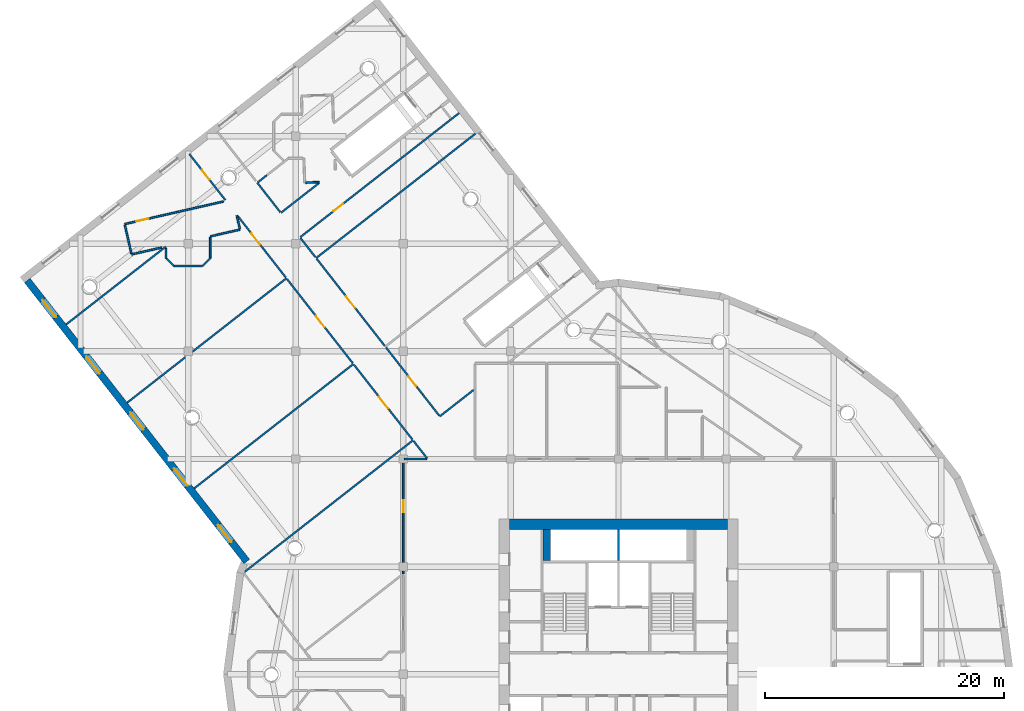
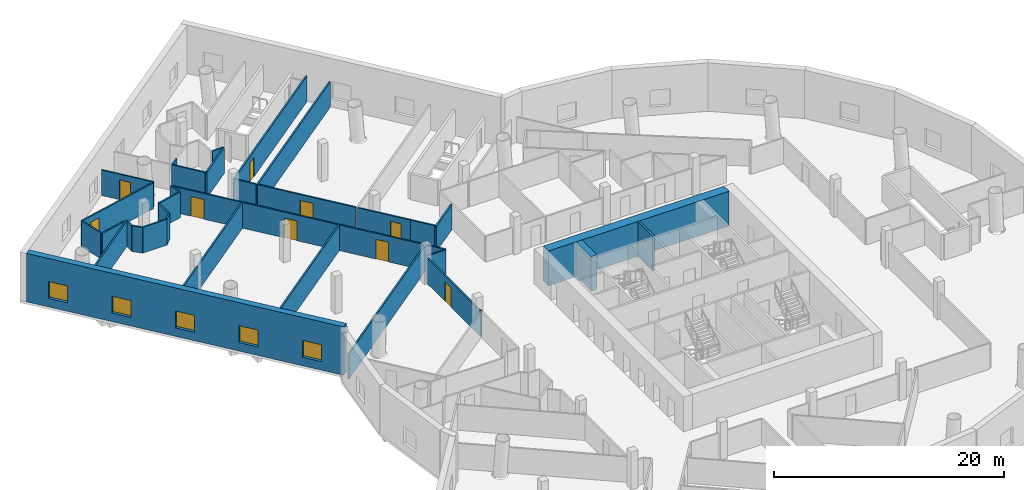
# One storey, part 9 of 15: 36 walls, 9 doors, 5 windows, 14 openings.
"""IFC4 building model written with IfcOpenShell, lengths in metres."""

from ifc_helpers import new_model, si_unit, direction, frame, frame_2d, origin, place, context, subcontext, project, spatial, rectangle, extrude, material, layer, layer_set, type_object, element, fill, save


model = new_model("IFC4")

# Units and contexts
model_context = context("Model", 3, precision=1e-05, world=origin(), true_north=direction((0.0, 1.0)))
body_context = subcontext(model_context, "Body", "Model", "MODEL_VIEW")
ifc_project = project(units=[si_unit("LENGTHUNIT", "METRE"), si_unit("AREAUNIT", "SQUARE_METRE"), si_unit("VOLUMEUNIT", "CUBIC_METRE"), si_unit("PLANEANGLEUNIT", "RADIAN"), si_unit("MASSUNIT", "GRAM", prefix="KILO")], contexts=[model_context])

# Site, building, storey
site_placement = place(None, origin())
site = spatial("IfcSite", under=ifc_project, at=site_placement, CompositionType="ELEMENT")
building_placement = place(site_placement, origin())
building = spatial("IfcBuilding", under=site, at=building_placement, Name="Tarsis Ring Headquarters", CompositionType="ELEMENT")
storey_placement = place(building_placement, frame((0.0, 0.0, 30.0)))
storey = spatial("IfcBuildingStorey", under=building, at=storey_placement, Name="L05", CompositionType="ELEMENT", Elevation=30.0)

# Walls
ifc_material_1 = material(Name="Concrete C60/75", Category="concrete")
ifc_layer_1 = layer(ifc_material_1, 0.89990234375)
ifc_layer_set_1 = layer_set([ifc_layer_1], Name="Core wall 900 C60/75")
wall_type_1 = type_object("IfcWallType", Name="Core wall 900 C60/75", PredefinedType="SHEAR", material=ifc_layer_set_1)
wall_1_placement = place(storey_placement, frame((-9.10009765625, 12.550048828125, 0.0), z_axis=(0.0, 0.0, 1.0), x_axis=(1.0, 0.0, 0.0)))
element("IfcWall", 1, at=wall_1_placement, inside=storey, type_object=wall_type_1, Name="Core wall ON", PredefinedType="SHEAR", context=body_context, shape_type="SweptSolid", body=[
    extrude(rectangle(XDim=18.2001953125, YDim=0.89990234375, at=frame_2d((9.10009765625, 0.0))), origin(), (0.0, 0.0, 1.0), 3.699951171875),
])
ifc_material_2 = material(Name="Plasterboard partition")
ifc_layer_2 = layer(ifc_material_2, 0.14990234375)
ifc_layer_set_2 = layer_set([ifc_layer_2], Name="PO-PW150")
wall_type_2 = type_object("IfcWallType", Name="PO-PW150", PredefinedType="PARTITIONING", material=ifc_layer_set_2)
wall_2_placement = place(storey_placement, frame((-17.189208984375, 19.564697265625, 0.0), z_axis=(0.0, 0.0, 1.0), x_axis=(-0.78801299467, -0.615658606884, 0.0)))
element("IfcWall", 2, at=wall_2_placement, inside=storey, type_object=wall_type_2, Name="L05 partition wall 2", PredefinedType="PARTITIONING", context=body_context, shape_type="SweptSolid", body=[
    extrude(rectangle(XDim=17.890380859375, YDim=0.14990234375, at=frame_2d((8.9453125, 0.0))), origin(), (0.0, 0.0, 1.0), 2.699951171875),
])
for number, where, z_axis, x_axis, name in (
    (3, (-11.97412109375, 45.212646484375, 0.0), (0.0, 0.0, 1.0), (-0.788007728406, -0.615665347386, 0.0), "L05 partition wall 6"),
    (4, (-22.176025390625, 25.94775390625, 0.0), (0.0, 0.0, 1.0), (-0.788007728406, -0.615665347386, 0.0), "L05 partition wall 10"),
    (5, (-27.778564453125, 33.11865234375, 0.0), (0.0, 0.0, 1.0), (-0.788007728406, -0.615665347386, 0.0), "L05 partition wall 11"),
):
    element("IfcWall", number, at=place(storey_placement, frame(where, z_axis=z_axis, x_axis=x_axis)), inside=storey, type_object=wall_type_2, Name=name, PredefinedType="PARTITIONING", context=body_context, shape_type="SweptSolid", body=[
        extrude(rectangle(XDim=16.900146484375, YDim=0.14990234375, at=frame_2d((8.4501953125, 0.0))), origin(), (0.0, 0.0, 1.0), 2.699951171875),
    ])
wall_3_placement = place(storey_placement, frame((-37.8642578125, 35.771728515625, 0.0), z_axis=(0.0, 0.0, 1.0), x_axis=(-0.788010387579, -0.615661943819, 0.0)))
element("IfcWall", 6, at=wall_3_placement, inside=storey, type_object=wall_type_2, Name="L05 partition wall 22", PredefinedType="PARTITIONING", context=body_context, shape_type="SweptSolid", body=[
    extrude(rectangle(XDim=10.5859375, YDim=0.14990234375, at=frame_2d((5.29296875, 0.0))), origin(), (0.0, 0.0, 1.0), 2.699951171875),
])

# Wall, opening, door
wall_4_placement = place(storey_placement, frame((-35.904541015625, 43.52099609375, 0.0), z_axis=(0.0, 0.0, 1.0), x_axis=(0.615667246278, -0.788006244811, 0.0)))
wall_4 = element("IfcWall", 7, at=wall_4_placement, inside=storey, type_object=wall_type_2, Name="L05 partition wall 73", PredefinedType="PARTITIONING", context=body_context, shape_type="SweptSolid", body=[
    extrude(rectangle(XDim=4.900146484375, YDim=0.14990234375, at=frame_2d((2.4501953125, 0.0))), origin(), (0.0, 0.0, 1.0), 2.699951171875),
])
opening_1_placement = place(wall_4_placement, frame((1.720947265625, 0.0, 0.0)))
opening_1 = element("IfcOpeningElement", 8, at=opening_1_placement, cuts=wall_4, Name="Opening PO-D1A", PredefinedType="OPENING", context=body_context, shape_type="SweptSolid", body=[
    extrude(rectangle(XDim=1.0, YDim=2.10009765625, at=frame_2d((0.5, 1.050048828125))), frame((0.0, 0.0849609375, 0.0), z_axis=(0.0, -1.0, 0.0), x_axis=(1.0, 0.0, 0.0)), (0.0, 0.0, 1.0), 0.169921875),
])
ifc_material_3 = material(Name="Timber door", Category="wood")
door_type_1 = type_object("IfcDoorType", Name="PO-D1000-UNRATED", OperationType="NOTDEFINED", PredefinedType="DOOR", material=ifc_material_3)
door_1_placement = place(opening_1_placement, origin())
door_1 = element("IfcDoor", 9, at=door_1_placement, inside=storey, type_object=door_type_1, Name="Meeting room door", OperationType="SINGLE_SWING_LEFT", OverallHeight=2.10009765625, OverallWidth=1.0, PredefinedType="DOOR", context=body_context, shape_type="SweptSolid", body=[
    extrude(rectangle(XDim=1.0, YDim=2.10009765625, at=frame_2d((0.5, 1.050048828125))), frame((0.0, 0.02490234375, 0.0), z_axis=(0.0, -1.0, 0.0), x_axis=(1.0, 0.0, 0.0)), (0.0, 0.0, 1.0), 0.050048828125),
])
fill(opening_1, door_1)

# Walls
wall_5_placement = place(storey_placement, frame((-14.9482421875, 21.5693359375, 0.0), z_axis=(0.0, 0.0, 1.0), x_axis=(0.787999570398, 0.615675788913, 0.0)))
element("IfcWall", 10, at=wall_5_placement, inside=storey, type_object=wall_type_2, Name="L05 partition wall 94", PredefinedType="PARTITIONING", context=body_context, shape_type="SweptSolid", body=[
    extrude(rectangle(XDim=3.58154296875, YDim=0.14990234375, at=frame_2d((1.790771484375, 0.0))), origin(), (0.0, 0.0, 1.0), 2.699951171875),
])
wall_6_placement = place(storey_placement, frame((-29.4189453125, 41.7353515625, 0.0), z_axis=(0.0, 0.0, 1.0), x_axis=(-0.787996580938, -0.615679615083, 0.0)))
element("IfcWall", 11, at=wall_6_placement, inside=storey, type_object=wall_type_2, Name="L05 partition wall 171", PredefinedType="PARTITIONING", context=body_context, shape_type="SweptSolid", body=[
    extrude(rectangle(XDim=0.932373046875, YDim=0.14990234375, at=frame_2d((0.46630859375, 0.0))), origin(), (0.0, 0.0, 1.0), 2.699951171875),
])

# Wall, opening, door
ifc_layer_3 = layer(ifc_material_2, 0.14990234375)
ifc_layer_set_3 = layer_set([ifc_layer_3], Name="PO-PW150R-2733")
wall_type_3 = type_object("IfcWallType", Name="PO-PW150R-2733", PredefinedType="PARTITIONING", material=ifc_layer_set_3)
wall_7_placement = place(storey_placement, frame((-13.3271484375, 46.944580078125, 0.0), z_axis=(0.0, 0.0, 1.0), x_axis=(-0.788009225699, -0.615663430953, 0.0)))
wall_7 = element("IfcWall", 12, at=wall_7_placement, inside=storey, type_object=wall_type_3, Name="L05 partition wall 13", PredefinedType="PARTITIONING", context=body_context, shape_type="SweptSolid", body=[
    extrude(rectangle(XDim=16.860107421875, YDim=0.14990234375, at=frame_2d((8.43017578125, 0.0))), origin(), (0.0, 0.0, 1.0), 2.73291015625),
])
opening_2_placement = place(wall_7_placement, frame((12.343505859375, 0.0, 0.0)))
opening_2 = element("IfcOpeningElement", 13, at=opening_2_placement, cuts=wall_7, Name="Opening PO-D1", PredefinedType="OPENING", context=body_context, shape_type="SweptSolid", body=[
    extrude(rectangle(XDim=1.0, YDim=2.10009765625, at=frame_2d((0.5, 1.050048828125))), frame((0.0, 0.0849609375, 0.0), z_axis=(0.0, -1.0, 0.0), x_axis=(1.0, 0.0, 0.0)), (0.0, 0.0, 1.0), 0.169921875),
])
door_type_2 = type_object("IfcDoorType", Name="PO-D1000", OperationType="NOTDEFINED", PredefinedType="DOOR", material=ifc_material_3)
door_2_placement = place(opening_2_placement, origin())
door_2 = element("IfcDoor", 14, at=door_2_placement, inside=storey, type_object=door_type_2, Name="Directors' office door", OperationType="SINGLE_SWING_LEFT", OverallHeight=2.10009765625, OverallWidth=1.0, PredefinedType="DOOR", context=body_context, shape_type="SweptSolid", body=[
    extrude(rectangle(XDim=1.0, YDim=2.10009765625, at=frame_2d((0.5, 1.050048828125))), frame((0.0, 0.02490234375, 0.0), z_axis=(0.0, -1.0, 0.0), x_axis=(1.0, 0.0, 0.0)), (0.0, 0.0, 1.0), 0.050048828125),
])
fill(opening_2, door_2)

wall_8_placement = place(storey_placement, frame((-18.0, 8.3984375, 0.0), z_axis=(0.0, 0.0, 1.0), x_axis=(0.0, 1.0, 0.0)))
wall_8 = element("IfcWall", 15, at=wall_8_placement, inside=storey, type_object=wall_type_3, Name="L05 partition wall 35", PredefinedType="PARTITIONING", context=body_context, shape_type="SweptSolid", body=[
    extrude(rectangle(XDim=9.6015625, YDim=0.14990234375, at=frame_2d((4.80078125, 0.0))), origin(), (0.0, 0.0, 1.0), 2.73291015625),
])
opening_3_placement = place(wall_8_placement, frame((5.1484375, 0.0, 0.0)))
opening_3 = element("IfcOpeningElement", 16, at=opening_3_placement, cuts=wall_8, Name="Opening PO-D1", PredefinedType="OPENING", context=body_context, shape_type="SweptSolid", body=[
    extrude(rectangle(XDim=1.0, YDim=2.10009765625, at=frame_2d((0.5, 1.050048828125))), frame((0.0, 0.0849609375, 0.0), z_axis=(0.0, -1.0, 0.0), x_axis=(1.0, 0.0, 0.0)), (0.0, 0.0, 1.0), 0.169921875),
])
door_3_placement = place(opening_3_placement, origin())
door_3 = element("IfcDoor", 17, at=door_3_placement, inside=storey, type_object=door_type_2, Name="Directors' office door", OperationType="SINGLE_SWING_LEFT", OverallHeight=2.10009765625, OverallWidth=1.0, PredefinedType="DOOR", context=body_context, shape_type="SweptSolid", body=[
    extrude(rectangle(XDim=1.0, YDim=2.10009765625, at=frame_2d((0.5, 1.050048828125))), frame((0.0, 0.02490234375, 0.0), z_axis=(0.0, -1.0, 0.0), x_axis=(1.0, 0.0, 0.0)), (0.0, 0.0, 1.0), 0.050048828125),
])
fill(opening_3, door_3)

wall_9_placement = place(storey_placement, frame((-25.2421875, 34.744873046875, 0.0), z_axis=(0.0, 0.0, 1.0), x_axis=(0.615660449474, -0.788011555089, 0.0)))
wall_9 = element("IfcWall", 18, at=wall_9_placement, inside=storey, type_object=wall_type_3, Name="L05 partition wall 36", PredefinedType="PARTITIONING", context=body_context, shape_type="SweptSolid", body=[
    extrude(rectangle(XDim=9.239990234375, YDim=0.14990234375, at=frame_2d((4.6201171875, 0.0))), origin(), (0.0, 0.0, 1.0), 2.73291015625),
])
opening_4_placement = place(wall_9_placement, frame((3.989990234375, 0.0, 0.0)))
opening_4 = element("IfcOpeningElement", 19, at=opening_4_placement, cuts=wall_9, Name="Opening PO-D2", PredefinedType="OPENING", context=body_context, shape_type="SweptSolid", body=[
    extrude(rectangle(XDim=1.199951171875, YDim=2.10009765625, at=frame_2d((0.60009765625, 1.050048828125))), frame((0.0, 0.0849609375, 0.0), z_axis=(0.0, -1.0, 0.0), x_axis=(1.0, 0.0, 0.0)), (0.0, 0.0, 1.0), 0.169921875),
])
door_type_3 = type_object("IfcDoorType", Name="PO-D1200", OperationType="NOTDEFINED", PredefinedType="DOOR", material=ifc_material_3)
door_4_placement = place(opening_4_placement, origin())
door_4 = element("IfcDoor", 20, at=door_4_placement, inside=storey, type_object=door_type_3, Name="Board room door", OperationType="SINGLE_SWING_RIGHT", OverallHeight=2.10009765625, OverallWidth=1.199951171875, PredefinedType="DOOR", context=body_context, shape_type="SweptSolid", body=[
    extrude(rectangle(XDim=1.199951171875, YDim=2.10009765625, at=frame_2d((0.60009765625, 1.050048828125))), frame((0.0, 0.02490234375, 0.0), z_axis=(0.0, -1.0, 0.0), x_axis=(1.0, 0.0, 0.0)), (0.0, 0.0, 1.0), 0.050048828125),
])
fill(opening_4, door_4)

wall_10_placement = place(storey_placement, frame((-22.225341796875, 26.0107421875, 0.0), z_axis=(0.0, 0.0, 1.0), x_axis=(-0.615661530391, 0.788010710585, 0.0)))
wall_10 = element("IfcWall", 21, at=wall_10_placement, inside=storey, type_object=wall_type_3, Name="L05 partition wall 37", PredefinedType="PARTITIONING", context=body_context, shape_type="SweptSolid", body=[
    extrude(rectangle(XDim=8.93994140625, YDim=0.14990234375, at=frame_2d((4.469970703125, 0.0))), origin(), (0.0, 0.0, 1.0), 2.73291015625),
])
opening_5_placement = place(wall_10_placement, frame((3.820068359375, 0.0, 0.0)))
opening_5 = element("IfcOpeningElement", 22, at=opening_5_placement, cuts=wall_10, Name="Opening PO-D2", PredefinedType="OPENING", context=body_context, shape_type="SweptSolid", body=[
    extrude(rectangle(XDim=1.199951171875, YDim=2.10009765625, at=frame_2d((0.60009765625, 1.050048828125))), frame((0.0, 0.0849609375, 0.0), z_axis=(0.0, -1.0, 0.0), x_axis=(1.0, 0.0, 0.0)), (0.0, 0.0, 1.0), 0.169921875),
])
door_5_placement = place(opening_5_placement, origin())
door_5 = element("IfcDoor", 23, at=door_5_placement, inside=storey, type_object=door_type_3, Name="Meeting room door", OperationType="SINGLE_SWING_LEFT", OverallHeight=2.10009765625, OverallWidth=1.199951171875, PredefinedType="DOOR", context=body_context, shape_type="SweptSolid", body=[
    extrude(rectangle(XDim=1.199951171875, YDim=2.10009765625, at=frame_2d((0.60009765625, 1.050048828125))), frame((0.0, 0.02490234375, 0.0), z_axis=(0.0, -1.0, 0.0), x_axis=(1.0, 0.0, 0.0)), (0.0, 0.0, 1.0), 0.050048828125),
])
fill(opening_5, door_5)

wall_11_placement = place(storey_placement, frame((-41.310546875, 37.650390625, 0.0), z_axis=(0.0, 0.0, 1.0), x_axis=(0.974810283506, 0.22303567242, 0.0)))
wall_11 = element("IfcWall", 24, at=wall_11_placement, inside=storey, type_object=wall_type_3, Name="L05 partition wall 40", PredefinedType="PARTITIONING", context=body_context, shape_type="SweptSolid", body=[
    extrude(rectangle(XDim=8.48779296875, YDim=0.14990234375, at=frame_2d((4.243896484375, 0.0))), origin(), (0.0, 0.0, 1.0), 2.73291015625),
])
opening_6_placement = place(wall_11_placement, frame((1.02099609375, 0.0, 0.0)))
opening_6 = element("IfcOpeningElement", 25, at=opening_6_placement, cuts=wall_11, Name="Opening PO-D1", PredefinedType="OPENING", context=body_context, shape_type="SweptSolid", body=[
    extrude(rectangle(XDim=1.0, YDim=2.10009765625, at=frame_2d((0.5, 1.050048828125))), frame((0.0, 0.0849609375, 0.0), z_axis=(0.0, -1.0, 0.0), x_axis=(1.0, 0.0, 0.0)), (0.0, 0.0, 1.0), 0.169921875),
])
door_6_placement = place(opening_6_placement, origin())
door_6 = element("IfcDoor", 26, at=door_6_placement, inside=storey, type_object=door_type_2, Name="Board room door", OperationType="SINGLE_SWING_LEFT", OverallHeight=2.10009765625, OverallWidth=1.0, PredefinedType="DOOR", context=body_context, shape_type="SweptSolid", body=[
    extrude(rectangle(XDim=1.0, YDim=2.10009765625, at=frame_2d((0.5, 1.050048828125))), frame((0.0, 0.02490234375, 0.0), z_axis=(0.0, -1.0, 0.0), x_axis=(1.0, 0.0, 0.0)), (0.0, 0.0, 1.0), 0.050048828125),
])
fill(opening_6, door_6)

wall_12_placement = place(storey_placement, frame((-17.238525390625, 19.6279296875, 0.0), z_axis=(0.0, 0.0, 1.0), x_axis=(-0.615661346431, 0.78801085431, 0.0)))
wall_12 = element("IfcWall", 27, at=wall_12_placement, inside=storey, type_object=wall_type_3, Name="L05 partition wall 45", PredefinedType="PARTITIONING", context=body_context, shape_type="SweptSolid", body=[
    extrude(rectangle(XDim=7.939697265625, YDim=0.14990234375, at=frame_2d((3.9697265625, 0.0))), origin(), (0.0, 0.0, 1.0), 2.73291015625),
])
opening_7_placement = place(wall_12_placement, frame((3.320068359375, 0.0, 0.0)))
opening_7 = element("IfcOpeningElement", 28, at=opening_7_placement, cuts=wall_12, Name="Opening PO-D2", PredefinedType="OPENING", context=body_context, shape_type="SweptSolid", body=[
    extrude(rectangle(XDim=1.199951171875, YDim=2.10009765625, at=frame_2d((0.60009765625, 1.050048828125))), frame((0.0, 0.0849609375, 0.0), z_axis=(0.0, -1.0, 0.0), x_axis=(1.0, 0.0, 0.0)), (0.0, 0.0, 1.0), 0.169921875),
])
door_7_placement = place(opening_7_placement, origin())
door_7 = element("IfcDoor", 29, at=door_7_placement, inside=storey, type_object=door_type_3, Name="Executive assistants' office door", OperationType="SINGLE_SWING_RIGHT", OverallHeight=2.10009765625, OverallWidth=1.199951171875, PredefinedType="DOOR", context=body_context, shape_type="SweptSolid", body=[
    extrude(rectangle(XDim=1.199951171875, YDim=2.10009765625, at=frame_2d((0.60009765625, 1.050048828125))), frame((0.0, 0.02490234375, 0.0), z_axis=(0.0, -1.0, 0.0), x_axis=(1.0, 0.0, 0.0)), (0.0, 0.0, 1.0), 0.050048828125),
])
fill(opening_7, door_7)

wall_13_placement = place(storey_placement, frame((-27.827880859375, 33.181640625, 0.0), z_axis=(0.0, 0.0, 1.0), x_axis=(-0.615669338831, 0.7880046099, 0.0)))
wall_13 = element("IfcWall", 30, at=wall_13_placement, inside=storey, type_object=wall_type_3, Name="L05 partition wall 53", PredefinedType="PARTITIONING", context=body_context, shape_type="SweptSolid", body=[
    extrude(rectangle(XDim=6.554931640625, YDim=0.14990234375, at=frame_2d((3.27734375, 0.0))), origin(), (0.0, 0.0, 1.0), 2.73291015625),
])
opening_8_placement = place(wall_13_placement, frame((3.489990234375, 0.0, 0.0)))
opening_8 = element("IfcOpeningElement", 31, at=opening_8_placement, cuts=wall_13, Name="Opening PO-D2", PredefinedType="OPENING", context=body_context, shape_type="SweptSolid", body=[
    extrude(rectangle(XDim=1.199951171875, YDim=2.10009765625, at=frame_2d((0.60009765625, 1.050048828125))), frame((0.0, 0.0849609375, 0.0), z_axis=(0.0, -1.0, 0.0), x_axis=(1.0, 0.0, 0.0)), (0.0, 0.0, 1.0), 0.169921875),
])
door_8_placement = place(opening_8_placement, origin())
door_8 = element("IfcDoor", 32, at=door_8_placement, inside=storey, type_object=door_type_3, Name="Executive lounge door", OperationType="SINGLE_SWING_RIGHT", OverallHeight=2.10009765625, OverallWidth=1.199951171875, PredefinedType="DOOR", context=body_context, shape_type="SweptSolid", body=[
    extrude(rectangle(XDim=1.199951171875, YDim=2.10009765625, at=frame_2d((0.60009765625, 1.050048828125))), frame((0.0, 0.02490234375, 0.0), z_axis=(0.0, -1.0, 0.0), x_axis=(1.0, 0.0, 0.0)), (0.0, 0.0, 1.0), 0.050048828125),
])
fill(opening_8, door_8)

wall_14_placement = place(storey_placement, frame((-19.455078125, 27.337646484375, 0.0), z_axis=(0.0, 0.0, 1.0), x_axis=(0.615684086409, -0.78799308737, 0.0)))
wall_14 = element("IfcWall", 33, at=wall_14_placement, inside=storey, type_object=wall_type_3, Name="L05 partition wall 72", PredefinedType="PARTITIONING", context=body_context, shape_type="SweptSolid", body=[
    extrude(rectangle(XDim=4.968994140625, YDim=0.14990234375, at=frame_2d((2.484375, 0.0))), origin(), (0.0, 0.0, 1.0), 2.73291015625),
])
opening_9_placement = place(wall_14_placement, frame((3.090087890625, 0.0, 0.0)))
opening_9 = element("IfcOpeningElement", 34, at=opening_9_placement, cuts=wall_14, Name="Opening PO-D1", PredefinedType="OPENING", context=body_context, shape_type="SweptSolid", body=[
    extrude(rectangle(XDim=1.0, YDim=2.10009765625, at=frame_2d((0.5, 1.050048828125))), frame((0.0, 0.0849609375, 0.0), z_axis=(0.0, -1.0, 0.0), x_axis=(1.0, 0.0, 0.0)), (0.0, 0.0, 1.0), 0.169921875),
])
door_9_placement = place(opening_9_placement, origin())
door_9 = element("IfcDoor", 35, at=door_9_placement, inside=storey, type_object=door_type_2, Name="Executive lounge door", OperationType="SINGLE_SWING_LEFT", OverallHeight=2.10009765625, OverallWidth=1.0, PredefinedType="DOOR", context=body_context, shape_type="SweptSolid", body=[
    extrude(rectangle(XDim=1.0, YDim=2.10009765625, at=frame_2d((0.5, 1.050048828125))), frame((0.0, 0.02490234375, 0.0), z_axis=(0.0, -1.0, 0.0), x_axis=(1.0, 0.0, 0.0)), (0.0, 0.0, 1.0), 0.050048828125),
])
fill(opening_9, door_9)

# Walls
wall_15_placement = place(storey_placement, frame((-28.2138671875, 38.61328125, 0.0), z_axis=(0.0, 0.0, 1.0), x_axis=(0.788033528536, 0.615632323634, 0.0)))
element("IfcWall", 36, at=wall_15_placement, inside=storey, type_object=wall_type_3, Name="L05 partition wall 84", PredefinedType="PARTITIONING", context=body_context, shape_type="SweptSolid", body=[
    extrude(rectangle(XDim=4.04296875, YDim=0.14990234375, at=frame_2d((2.021484375, 0.0))), origin(), (0.0, 0.0, 1.0), 2.73291015625),
])
wall_16_placement = place(storey_placement, frame((-30.216796875, 41.112060546875, 0.0), z_axis=(0.0, 0.0, 1.0), x_axis=(0.615671181379, -0.788003170311, 0.0)))
element("IfcWall", 37, at=wall_16_placement, inside=storey, type_object=wall_type_3, Name="L05 partition wall 100", PredefinedType="PARTITIONING", context=body_context, shape_type="SweptSolid", body=[
    extrude(rectangle(XDim=3.142333984375, YDim=0.14990234375, at=frame_2d((1.5712890625, 0.0))), origin(), (0.0, 0.0, 1.0), 2.73291015625),
])
wall_17_placement = place(storey_placement, frame((-38.19580078125, 35.69580078125, 0.0), z_axis=(0.0, 0.0, 1.0), x_axis=(-0.974797866143, -0.223089937387, 0.0)))
element("IfcWall", 38, at=wall_17_placement, inside=storey, type_object=wall_type_3, Name="L05 partition wall 104", PredefinedType="PARTITIONING", context=body_context, shape_type="SweptSolid", body=[
    extrude(rectangle(XDim=2.60009765625, YDim=0.14990234375, at=frame_2d((1.300048828125, 0.0))), origin(), (0.0, 0.0, 1.0), 2.73291015625),
])
wall_18_placement = place(storey_placement, frame((-40.74853515625, 35.19384765625, 0.0), z_axis=(0.0, 0.0, 1.0), x_axis=(-0.223039437659, 0.974809422015, 0.0)))
element("IfcWall", 39, at=wall_18_placement, inside=storey, type_object=wall_type_3, Name="L05 partition wall 118", PredefinedType="PARTITIONING", context=body_context, shape_type="SweptSolid", body=[
    extrude(rectangle(XDim=2.43994140625, YDim=0.14990234375, at=frame_2d((1.219970703125, 0.0))), origin(), (0.0, 0.0, 1.0), 2.73291015625),
])
wall_19_placement = place(storey_placement, frame((-31.66064453125, 37.191162109375, 0.0), z_axis=(0.0, 0.0, 1.0), x_axis=(-0.974806857192, -0.2230506471, 0.0)))
element("IfcWall", 40, at=wall_19_placement, inside=storey, type_object=wall_type_3, Name="L05 partition wall 119", PredefinedType="PARTITIONING", context=body_context, shape_type="SweptSolid", body=[
    extrude(rectangle(XDim=2.5537109375, YDim=0.14990234375, at=frame_2d((1.27685546875, 0.0))), origin(), (0.0, 0.0, 1.0), 2.73291015625),
])
wall_20_placement = place(storey_placement, frame((-34.800048828125, 34.14990234375, 0.0), z_axis=(0.0, 0.0, 1.0), x_axis=(-1.0, 0.0, 0.0)))
element("IfcWall", 41, at=wall_20_placement, inside=storey, type_object=wall_type_3, Name="L05 partition wall 120", PredefinedType="PARTITIONING", context=body_context, shape_type="SweptSolid", body=[
    extrude(rectangle(XDim=2.39990234375, YDim=0.14990234375, at=frame_2d((1.199951171875, 0.0))), origin(), (0.0, 0.0, 1.0), 2.73291015625),
])
wall_21_placement = place(storey_placement, frame((-16.395751953125, 23.422119140625, 0.0), z_axis=(0.0, 0.0, 1.0), x_axis=(0.615621095641, -0.788042300008, 0.0)))
element("IfcWall", 42, at=wall_21_placement, inside=storey, type_object=wall_type_3, Name="L05 partition wall 128", PredefinedType="PARTITIONING", context=body_context, shape_type="SweptSolid", body=[
    extrude(rectangle(XDim=2.271240234375, YDim=0.14990234375, at=frame_2d((1.1357421875, 0.0))), origin(), (0.0, 0.0, 1.0), 2.73291015625),
])
wall_22_placement = place(storey_placement, frame((-26.607666015625, 36.49267578125, 0.0), z_axis=(0.0, 0.0, 1.0), x_axis=(0.61571310518, -0.787970413219, 0.0)))
element("IfcWall", 43, at=wall_22_placement, inside=storey, type_object=wall_type_3, Name="L05 partition wall 134", PredefinedType="PARTITIONING", context=body_context, shape_type="SweptSolid", body=[
    extrude(rectangle(XDim=2.057861328125, YDim=0.14990234375, at=frame_2d((1.02880859375, 0.0))), origin(), (0.0, 0.0, 1.0), 2.73291015625),
])
wall_23_placement = place(storey_placement, frame((-17.919921875, 18.0, 0.0), z_axis=(0.0, 0.0, 1.0), x_axis=(1.0, 0.0, 0.0)))
element("IfcWall", 44, at=wall_23_placement, inside=storey, type_object=wall_type_3, Name="L05 partition wall 143", PredefinedType="PARTITIONING", context=body_context, shape_type="SweptSolid", body=[
    extrude(rectangle(XDim=1.877197265625, YDim=0.14990234375, at=frame_2d((0.9384765625, 0.0))), origin(), (0.0, 0.0, 1.0), 2.73291015625),
])
wall_24_placement = place(storey_placement, frame((-15.997802734375, 18.0400390625, 0.0), z_axis=(0.0, 0.0, 1.0), x_axis=(-0.615697676489, 0.787982468819, 0.0)))
element("IfcWall", 45, at=wall_24_placement, inside=storey, type_object=wall_type_3, Name="L05 partition wall 144", PredefinedType="PARTITIONING", context=body_context, shape_type="SweptSolid", body=[
    extrude(rectangle(XDim=1.85498046875, YDim=0.14990234375, at=frame_2d((0.927490234375, 0.0))), origin(), (0.0, 0.0, 1.0), 2.73291015625),
])
wall_25_placement = place(storey_placement, frame((-34.14990234375, 36.54150390625, 0.0), z_axis=(0.0, 0.0, 1.0), x_axis=(0.0, -1.0, 0.0)))
element("IfcWall", 46, at=wall_25_placement, inside=storey, type_object=wall_type_3, Name="L05 partition wall 147", PredefinedType="PARTITIONING", context=body_context, shape_type="SweptSolid", body=[
    extrude(rectangle(XDim=1.741455078125, YDim=0.14990234375, at=frame_2d((0.87060546875, 0.0))), origin(), (0.0, 0.0, 1.0), 2.73291015625),
])
wall_26_placement = place(storey_placement, frame((-25.015380859375, 41.162841796875, 0.0), z_axis=(0.0, 0.0, 1.0), x_axis=(-0.999271782242, -0.038156326008, 0.0)))
element("IfcWall", 47, at=wall_26_placement, inside=storey, type_object=wall_type_3, Name="L05 partition wall 162", PredefinedType="PARTITIONING", context=body_context, shape_type="SweptSolid", body=[
    extrude(rectangle(XDim=1.151611328125, YDim=0.14990234375, at=frame_2d((0.57568359375, 0.0))), origin(), (0.0, 0.0, 1.0), 2.73291015625),
])
wall_27_placement = place(storey_placement, frame((-31.929443359375, 38.366455078125, 0.0), z_axis=(0.0, 0.0, 1.0), x_axis=(0.22294257268, -0.97483157996, 0.0)))
element("IfcWall", 48, at=wall_27_placement, inside=storey, type_object=wall_type_3, Name="L05 partition wall 163", PredefinedType="PARTITIONING", context=body_context, shape_type="SweptSolid", body=[
    extrude(rectangle(XDim=1.125732421875, YDim=0.14990234375, at=frame_2d((0.56298828125, 0.0))), origin(), (0.0, 0.0, 1.0), 2.73291015625),
])
wall_28_placement = place(storey_placement, frame((-37.85009765625, 34.800048828125, 0.0), z_axis=(0.0, 0.0, 1.0), x_axis=(0.0, 1.0, 0.0)))
element("IfcWall", 49, at=wall_28_placement, inside=storey, type_object=wall_type_3, Name="L05 partition wall 172", PredefinedType="PARTITIONING", context=body_context, shape_type="SweptSolid", body=[
    extrude(rectangle(XDim=0.82275390625, YDim=0.14990234375, at=frame_2d((0.411376953125, 0.0))), origin(), (0.0, 0.0, 1.0), 2.73291015625),
])
for number, where, z_axis, x_axis, name in (
    (50, (-37.199951171875, 34.14990234375, 0.0), (0.0, 0.0, 1.0), (-0.707106781187, 0.707106781187, 0.0), "L05 partition wall 177"),
    (51, (-34.14990234375, 34.800048828125, 0.0), (0.0, 0.0, 1.0), (-0.707106781187, -0.707106781187, 0.0), "L05 partition wall 181"),
):
    element("IfcWall", number, at=place(storey_placement, frame(where, z_axis=z_axis, x_axis=x_axis)), inside=storey, type_object=wall_type_3, Name=name, PredefinedType="PARTITIONING", context=body_context, shape_type="SweptSolid", body=[
        extrude(rectangle(XDim=0.91943359375, YDim=0.14990234375, at=frame_2d((0.459716796875, 0.0))), origin(), (0.0, 0.0, 1.0), 2.73291015625),
    ])

# Wall, openings, windows
ifc_layer_4 = layer(ifc_material_1, 0.60009765625)
ifc_layer_set_4 = layer_set([ifc_layer_4], Name="PO-W600P")
wall_type_4 = type_object("IfcWallType", Name="PO-W600P", PredefinedType="SOLIDWALL", material=ifc_layer_set_4)
wall_29_placement = place(storey_placement, frame((-49.459228515625, 32.930908203125, 0.0), z_axis=(0.0, 0.0, 1.0), x_axis=(0.615664215937, -0.788008612399, 0.0)))
wall_29 = element("IfcWall", 52, at=wall_29_placement, inside=storey, type_object=wall_type_4, Name="L05 external wall 1", PredefinedType="SOLIDWALL", context=body_context, shape_type="SweptSolid", body=[
    extrude(rectangle(XDim=29.82470703125, YDim=0.60009765625, at=frame_2d((14.912353515625, 0.0))), origin(), (0.0, 0.0, 1.0), 5.14990234375),
])
opening_10_placement = place(wall_29_placement, frame((2.08251953125, 0.0, 0.89990234375)))
opening_10 = element("IfcOpeningElement", 53, at=opening_10_placement, cuts=wall_29, Name="Opening PO-WN147", PredefinedType="OPENING", context=body_context, shape_type="SweptSolid", body=[
    extrude(rectangle(XDim=1.800048828125, YDim=1.802978515625, at=frame_2d((0.89990234375, 0.9013671875))), frame((0.0, 0.31005859375, 0.0), z_axis=(0.0, -1.0, 0.0), x_axis=(1.0, 0.0, 0.0)), (0.0, 0.0, 1.0), 0.6201171875),
])
opening_11_placement = place(wall_29_placement, frame((8.04736328125, 0.0, 0.89990234375)))
opening_11 = element("IfcOpeningElement", 54, at=opening_11_placement, cuts=wall_29, Name="Opening PO-WN147", PredefinedType="OPENING", context=body_context, shape_type="SweptSolid", body=[
    extrude(rectangle(XDim=1.800048828125, YDim=1.802978515625, at=frame_2d((0.89990234375, 0.9013671875))), frame((0.0, 0.31005859375, 0.0), z_axis=(0.0, -1.0, 0.0), x_axis=(1.0, 0.0, 0.0)), (0.0, 0.0, 1.0), 0.6201171875),
])
opening_12_placement = place(wall_29_placement, frame((14.012451171875, 0.0, 0.89990234375)))
opening_12 = element("IfcOpeningElement", 55, at=opening_12_placement, cuts=wall_29, Name="Opening PO-WN147", PredefinedType="OPENING", context=body_context, shape_type="SweptSolid", body=[
    extrude(rectangle(XDim=1.800048828125, YDim=1.802978515625, at=frame_2d((0.89990234375, 0.9013671875))), frame((0.0, 0.31005859375, 0.0), z_axis=(0.0, -1.0, 0.0), x_axis=(1.0, 0.0, 0.0)), (0.0, 0.0, 1.0), 0.6201171875),
])
opening_13_placement = place(wall_29_placement, frame((19.977294921875, 0.0, 0.89990234375)))
opening_13 = element("IfcOpeningElement", 56, at=opening_13_placement, cuts=wall_29, Name="Opening PO-WN147", PredefinedType="OPENING", context=body_context, shape_type="SweptSolid", body=[
    extrude(rectangle(XDim=1.800048828125, YDim=1.802978515625, at=frame_2d((0.89990234375, 0.9013671875))), frame((0.0, 0.31005859375, 0.0), z_axis=(0.0, -1.0, 0.0), x_axis=(1.0, 0.0, 0.0)), (0.0, 0.0, 1.0), 0.6201171875),
])
opening_14_placement = place(wall_29_placement, frame((25.942138671875, 0.0, 0.89990234375)))
opening_14 = element("IfcOpeningElement", 57, at=opening_14_placement, cuts=wall_29, Name="Opening PO-WN147", PredefinedType="OPENING", context=body_context, shape_type="SweptSolid", body=[
    extrude(rectangle(XDim=1.800048828125, YDim=1.802978515625, at=frame_2d((0.89990234375, 0.9013671875))), frame((0.0, 0.31005859375, 0.0), z_axis=(0.0, -1.0, 0.0), x_axis=(1.0, 0.0, 0.0)), (0.0, 0.0, 1.0), 0.6201171875),
])
ifc_material_4 = material(Name="Double glazing", Category="glass")
window_type = type_object("IfcWindowType", Name="PO-WN1800-1803", PartitioningType="SINGLE_PANEL", PredefinedType="WINDOW", material=ifc_material_4)
window_1_placement = place(opening_10_placement, origin())
window_1 = element("IfcWindow", 58, at=window_1_placement, inside=storey, type_object=window_type, Name="L05 window 1.1", OverallHeight=1.802978515625, OverallWidth=1.800048828125, PartitioningType="SINGLE_PANEL", PredefinedType="WINDOW", context=body_context, shape_type="SweptSolid", body=[
    extrude(rectangle(XDim=1.800048828125, YDim=1.802978515625, at=frame_2d((0.89990234375, 0.9013671875))), frame((0.0, 0.030029296875, 0.0), z_axis=(0.0, -1.0, 0.0), x_axis=(1.0, 0.0, 0.0)), (0.0, 0.0, 1.0), 0.06005859375),
])
fill(opening_10, window_1)
window_2_placement = place(opening_11_placement, origin())
window_2 = element("IfcWindow", 59, at=window_2_placement, inside=storey, type_object=window_type, Name="L05 window 1.2", OverallHeight=1.802978515625, OverallWidth=1.800048828125, PartitioningType="SINGLE_PANEL", PredefinedType="WINDOW", context=body_context, shape_type="SweptSolid", body=[
    extrude(rectangle(XDim=1.800048828125, YDim=1.802978515625, at=frame_2d((0.89990234375, 0.9013671875))), frame((0.0, 0.030029296875, 0.0), z_axis=(0.0, -1.0, 0.0), x_axis=(1.0, 0.0, 0.0)), (0.0, 0.0, 1.0), 0.06005859375),
])
fill(opening_11, window_2)
window_3_placement = place(opening_12_placement, origin())
window_3 = element("IfcWindow", 60, at=window_3_placement, inside=storey, type_object=window_type, Name="L05 window 1.3", OverallHeight=1.802978515625, OverallWidth=1.800048828125, PartitioningType="SINGLE_PANEL", PredefinedType="WINDOW", context=body_context, shape_type="SweptSolid", body=[
    extrude(rectangle(XDim=1.800048828125, YDim=1.802978515625, at=frame_2d((0.89990234375, 0.9013671875))), frame((0.0, 0.030029296875, 0.0), z_axis=(0.0, -1.0, 0.0), x_axis=(1.0, 0.0, 0.0)), (0.0, 0.0, 1.0), 0.06005859375),
])
fill(opening_12, window_3)
window_4_placement = place(opening_13_placement, origin())
window_4 = element("IfcWindow", 61, at=window_4_placement, inside=storey, type_object=window_type, Name="L05 window 1.4", OverallHeight=1.802978515625, OverallWidth=1.800048828125, PartitioningType="SINGLE_PANEL", PredefinedType="WINDOW", context=body_context, shape_type="SweptSolid", body=[
    extrude(rectangle(XDim=1.800048828125, YDim=1.802978515625, at=frame_2d((0.89990234375, 0.9013671875))), frame((0.0, 0.030029296875, 0.0), z_axis=(0.0, -1.0, 0.0), x_axis=(1.0, 0.0, 0.0)), (0.0, 0.0, 1.0), 0.06005859375),
])
fill(opening_13, window_4)
window_5_placement = place(opening_14_placement, origin())
window_5 = element("IfcWindow", 62, at=window_5_placement, inside=storey, type_object=window_type, Name="L05 window 1.5", OverallHeight=1.802978515625, OverallWidth=1.800048828125, PartitioningType="SINGLE_PANEL", PredefinedType="WINDOW", context=body_context, shape_type="SweptSolid", body=[
    extrude(rectangle(XDim=1.800048828125, YDim=1.802978515625, at=frame_2d((0.89990234375, 0.9013671875))), frame((0.0, 0.030029296875, 0.0), z_axis=(0.0, -1.0, 0.0), x_axis=(1.0, 0.0, 0.0)), (0.0, 0.0, 1.0), 0.06005859375),
])
fill(opening_14, window_5)

# Walls
ifc_material_5 = material(Name="Concrete C32/40", Category="concrete")
ifc_layer_5 = layer(ifc_material_5, 0.60009765625)
ifc_layer_set_5 = layer_set([ifc_layer_5], Name="Shaft end wall 600 C32/40")
wall_type_5 = type_object("IfcWallType", Name="Shaft end wall 600 C32/40", PredefinedType="SOLIDWALL", material=ifc_layer_set_5)
wall_30_placement = place(storey_placement, frame((-6.0, 9.5, 0.0), z_axis=(0.0, 0.0, 1.0), x_axis=(0.0, 1.0, 0.0)))
element("IfcWall", 63, at=wall_30_placement, inside=storey, type_object=wall_type_5, Name="Core shaft wall NNE1", PredefinedType="SOLIDWALL", context=body_context, shape_type="SweptSolid", body=[
    extrude(rectangle(XDim=2.60009765625, YDim=0.60009765625, at=frame_2d((1.300048828125, 0.0))), origin(), (0.0, 0.0, 1.0), 3.699951171875),
])
ifc_layer_6 = layer(ifc_material_5, 0.199951171875)
ifc_layer_set_6 = layer_set([ifc_layer_6], Name="Shaft wall 200 C32/40")
wall_type_6 = type_object("IfcWallType", Name="Shaft wall 200 C32/40", PredefinedType="SOLIDWALL", material=ifc_layer_set_6)
wall_31_placement = place(storey_placement, frame((0.0, 9.5, 0.0), z_axis=(0.0, 0.0, 1.0), x_axis=(0.0, 1.0, 0.0)))
element("IfcWall", 64, at=wall_31_placement, inside=storey, type_object=wall_type_6, Name="Core shaft wall ND2", PredefinedType="SOLIDWALL", context=body_context, shape_type="SweptSolid", body=[
    extrude(rectangle(XDim=2.60009765625, YDim=0.199951171875, at=frame_2d((1.300048828125, 0.0))), origin(), (0.0, 0.0, 1.0), 3.699951171875),
])

save(model, "model.ifc")
